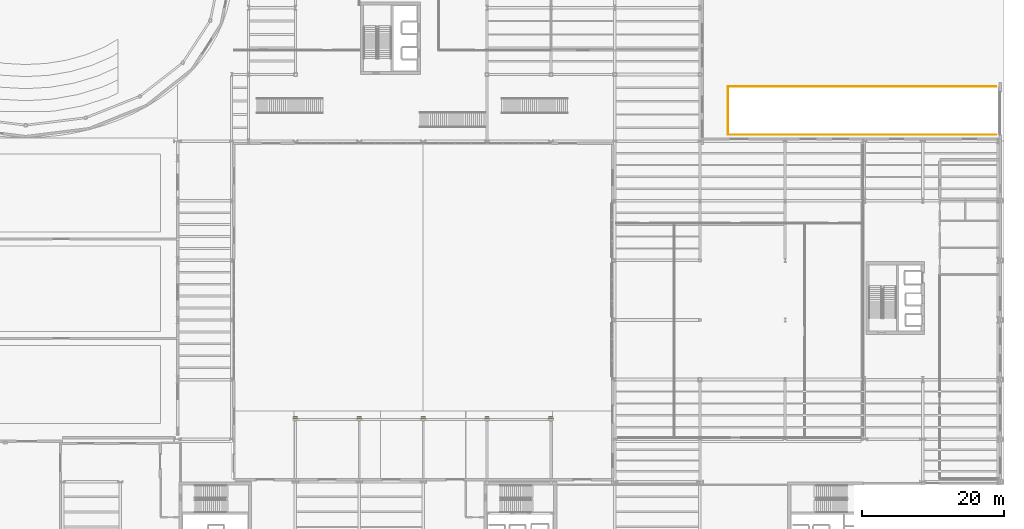
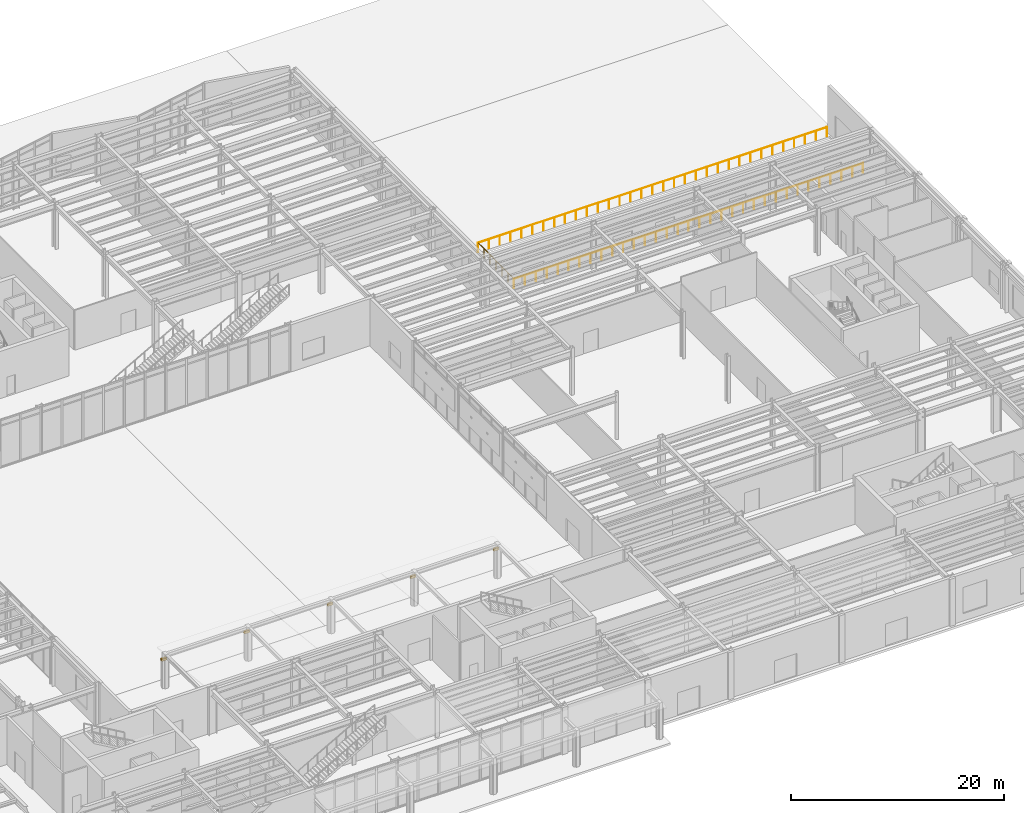
# One storey, part 94 of 94: 5 shading devices, 3 railings.
"""IFC4 building model written with IfcOpenShell, lengths in metres."""

from ifc_helpers import new_model, si_unit, direction, frame, origin, origin_2d, place, context, subcontext, project, spatial, rectangle, circle, extrude, material, layer, layer_set, type_object, element, save


model = new_model("IFC4")

# Units and contexts
model_context = context("Model", 3, precision=1e-05, world=origin(), true_north=direction((0.0, 1.0)))
body_context = subcontext(model_context, "Body", "Model", "MODEL_VIEW")
ifc_project = project(units=[si_unit("LENGTHUNIT", "METRE"), si_unit("AREAUNIT", "SQUARE_METRE"), si_unit("VOLUMEUNIT", "CUBIC_METRE"), si_unit("PLANEANGLEUNIT", "RADIAN"), si_unit("MASSUNIT", "GRAM", prefix="KILO")], contexts=[model_context])

# Site, building, storey
site_placement = place(None, origin())
site = spatial("IfcSite", under=ifc_project, at=site_placement, CompositionType="ELEMENT")
building_placement = place(site_placement, origin())
building = spatial("IfcBuilding", under=site, at=building_placement, Name="Sollismere Congress Hotel", CompositionType="ELEMENT")
storey_placement = place(building_placement, origin())
storey = spatial("IfcBuildingStorey", under=building, at=storey_placement, Name="L00", CompositionType="ELEMENT", Elevation=0.0)

# Railings
ifc_material_1 = material(Name="Laminated Safety Glass & Bronze Cap Rail", Category="glass")
railing_type = type_object("IfcRailingType", Name="RL-GD112", PredefinedType="GUARDRAIL", material=ifc_material_1)
railing_1_placement = place(storey_placement, frame((127.949951171875, 67.699951171875, 0.0)))
element("IfcRailing", 1, at=railing_1_placement, inside=storey, type_object=railing_type, Name="RLG-GD-L00-032", PredefinedType="GUARDRAIL", context=body_context, shape_type="SweptSolid", body=[
    extrude(circle(Radius=0.02392578125, at=origin_2d()), frame((0.0, 0.0, 1.09619140625), z_axis=(1.0, 0.0, 0.0), x_axis=(0.0, 1.0, 0.0)), (0.0, 0.0, 1.0), 37.800048828125),
    extrude(circle(Radius=0.02099609375, at=origin_2d()), origin(), (0.0, 0.0, 1.0), 1.072021484375),
    extrude(circle(Radius=0.02099609375, at=origin_2d()), frame((1.18115234375, 0.0, 0.0)), (0.0, 0.0, 1.0), 1.072021484375),
    extrude(circle(Radius=0.02099609375, at=origin_2d()), frame((2.362548828125, 0.0, 0.0)), (0.0, 0.0, 1.0), 1.072021484375),
    extrude(circle(Radius=0.02099609375, at=origin_2d()), frame((3.543701171875, 0.0, 0.0)), (0.0, 0.0, 1.0), 1.072021484375),
    extrude(circle(Radius=0.02099609375, at=origin_2d()), frame((4.72509765625, 0.0, 0.0)), (0.0, 0.0, 1.0), 1.072021484375),
    extrude(circle(Radius=0.02099609375, at=origin_2d()), frame((5.90625, 0.0, 0.0)), (0.0, 0.0, 1.0), 1.072021484375),
    extrude(circle(Radius=0.02099609375, at=origin_2d()), frame((7.08740234375, 0.0, 0.0)), (0.0, 0.0, 1.0), 1.072021484375),
    extrude(circle(Radius=0.02099609375, at=origin_2d()), frame((8.268798828125, 0.0, 0.0)), (0.0, 0.0, 1.0), 1.072021484375),
    extrude(circle(Radius=0.02099609375, at=origin_2d()), frame((9.449951171875, 0.0, 0.0)), (0.0, 0.0, 1.0), 1.072021484375),
    extrude(circle(Radius=0.02099609375, at=origin_2d()), frame((10.63134765625, 0.0, 0.0)), (0.0, 0.0, 1.0), 1.072021484375),
    extrude(circle(Radius=0.02099609375, at=origin_2d()), frame((11.8125, 0.0, 0.0)), (0.0, 0.0, 1.0), 1.072021484375),
    extrude(circle(Radius=0.02099609375, at=origin_2d()), frame((12.99365234375, 0.0, 0.0)), (0.0, 0.0, 1.0), 1.072021484375),
    extrude(circle(Radius=0.02099609375, at=origin_2d()), frame((14.175048828125, 0.0, 0.0)), (0.0, 0.0, 1.0), 1.072021484375),
    extrude(circle(Radius=0.02099609375, at=origin_2d()), frame((15.356201171875, 0.0, 0.0)), (0.0, 0.0, 1.0), 1.072021484375),
    extrude(circle(Radius=0.02099609375, at=origin_2d()), frame((16.53759765625, 0.0, 0.0)), (0.0, 0.0, 1.0), 1.072021484375),
    extrude(circle(Radius=0.02099609375, at=origin_2d()), frame((17.71875, 0.0, 0.0)), (0.0, 0.0, 1.0), 1.072021484375),
    extrude(circle(Radius=0.02099609375, at=origin_2d()), frame((18.89990234375, 0.0, 0.0)), (0.0, 0.0, 1.0), 1.072021484375),
    extrude(circle(Radius=0.02099609375, at=origin_2d()), frame((20.081298828125, 0.0, 0.0)), (0.0, 0.0, 1.0), 1.072021484375),
    extrude(circle(Radius=0.02099609375, at=origin_2d()), frame((21.262451171875, 0.0, 0.0)), (0.0, 0.0, 1.0), 1.072021484375),
    extrude(circle(Radius=0.02099609375, at=origin_2d()), frame((22.44384765625, 0.0, 0.0)), (0.0, 0.0, 1.0), 1.072021484375),
    extrude(circle(Radius=0.02099609375, at=origin_2d()), frame((23.625, 0.0, 0.0)), (0.0, 0.0, 1.0), 1.072021484375),
    extrude(circle(Radius=0.02099609375, at=origin_2d()), frame((24.806396484375, 0.0, 0.0)), (0.0, 0.0, 1.0), 1.072021484375),
    extrude(circle(Radius=0.02099609375, at=origin_2d()), frame((25.987548828125, 0.0, 0.0)), (0.0, 0.0, 1.0), 1.072021484375),
    extrude(circle(Radius=0.02099609375, at=origin_2d()), frame((27.168701171875, 0.0, 0.0)), (0.0, 0.0, 1.0), 1.072021484375),
    extrude(circle(Radius=0.02099609375, at=origin_2d()), frame((28.35009765625, 0.0, 0.0)), (0.0, 0.0, 1.0), 1.072021484375),
    extrude(circle(Radius=0.02099609375, at=origin_2d()), frame((29.53125, 0.0, 0.0)), (0.0, 0.0, 1.0), 1.072021484375),
    extrude(circle(Radius=0.02099609375, at=origin_2d()), frame((30.712646484375, 0.0, 0.0)), (0.0, 0.0, 1.0), 1.072021484375),
    extrude(circle(Radius=0.02099609375, at=origin_2d()), frame((31.893798828125, 0.0, 0.0)), (0.0, 0.0, 1.0), 1.072021484375),
    extrude(circle(Radius=0.02099609375, at=origin_2d()), frame((33.074951171875, 0.0, 0.0)), (0.0, 0.0, 1.0), 1.072021484375),
    extrude(circle(Radius=0.02099609375, at=origin_2d()), frame((34.25634765625, 0.0, 0.0)), (0.0, 0.0, 1.0), 1.072021484375),
    extrude(circle(Radius=0.02099609375, at=origin_2d()), frame((35.4375, 0.0, 0.0)), (0.0, 0.0, 1.0), 1.072021484375),
    extrude(circle(Radius=0.02099609375, at=origin_2d()), frame((36.618896484375, 0.0, 0.0)), (0.0, 0.0, 1.0), 1.072021484375),
    extrude(circle(Radius=0.02099609375, at=origin_2d()), frame((37.800048828125, 0.0, 0.0)), (0.0, 0.0, 1.0), 1.072021484375),
])
railing_2_placement = place(storey_placement, frame((127.949951171875, 74.5, 0.0)))
element("IfcRailing", 2, at=railing_2_placement, inside=storey, type_object=railing_type, Name="RLG-GD-L00-033", PredefinedType="GUARDRAIL", context=body_context, shape_type="SweptSolid", body=[
    extrude(circle(Radius=0.02392578125, at=origin_2d()), frame((0.0, 0.0, 1.09619140625), z_axis=(1.0, 0.0, 0.0), x_axis=(0.0, 1.0, 0.0)), (0.0, 0.0, 1.0), 37.800048828125),
    extrude(circle(Radius=0.02099609375, at=origin_2d()), origin(), (0.0, 0.0, 1.0), 1.072021484375),
    extrude(circle(Radius=0.02099609375, at=origin_2d()), frame((1.18115234375, 0.0, 0.0)), (0.0, 0.0, 1.0), 1.072021484375),
    extrude(circle(Radius=0.02099609375, at=origin_2d()), frame((2.362548828125, 0.0, 0.0)), (0.0, 0.0, 1.0), 1.072021484375),
    extrude(circle(Radius=0.02099609375, at=origin_2d()), frame((3.543701171875, 0.0, 0.0)), (0.0, 0.0, 1.0), 1.072021484375),
    extrude(circle(Radius=0.02099609375, at=origin_2d()), frame((4.72509765625, 0.0, 0.0)), (0.0, 0.0, 1.0), 1.072021484375),
    extrude(circle(Radius=0.02099609375, at=origin_2d()), frame((5.90625, 0.0, 0.0)), (0.0, 0.0, 1.0), 1.072021484375),
    extrude(circle(Radius=0.02099609375, at=origin_2d()), frame((7.08740234375, 0.0, 0.0)), (0.0, 0.0, 1.0), 1.072021484375),
    extrude(circle(Radius=0.02099609375, at=origin_2d()), frame((8.268798828125, 0.0, 0.0)), (0.0, 0.0, 1.0), 1.072021484375),
    extrude(circle(Radius=0.02099609375, at=origin_2d()), frame((9.449951171875, 0.0, 0.0)), (0.0, 0.0, 1.0), 1.072021484375),
    extrude(circle(Radius=0.02099609375, at=origin_2d()), frame((10.63134765625, 0.0, 0.0)), (0.0, 0.0, 1.0), 1.072021484375),
    extrude(circle(Radius=0.02099609375, at=origin_2d()), frame((11.8125, 0.0, 0.0)), (0.0, 0.0, 1.0), 1.072021484375),
    extrude(circle(Radius=0.02099609375, at=origin_2d()), frame((12.99365234375, 0.0, 0.0)), (0.0, 0.0, 1.0), 1.072021484375),
    extrude(circle(Radius=0.02099609375, at=origin_2d()), frame((14.175048828125, 0.0, 0.0)), (0.0, 0.0, 1.0), 1.072021484375),
    extrude(circle(Radius=0.02099609375, at=origin_2d()), frame((15.356201171875, 0.0, 0.0)), (0.0, 0.0, 1.0), 1.072021484375),
    extrude(circle(Radius=0.02099609375, at=origin_2d()), frame((16.53759765625, 0.0, 0.0)), (0.0, 0.0, 1.0), 1.072021484375),
    extrude(circle(Radius=0.02099609375, at=origin_2d()), frame((17.71875, 0.0, 0.0)), (0.0, 0.0, 1.0), 1.072021484375),
    extrude(circle(Radius=0.02099609375, at=origin_2d()), frame((18.89990234375, 0.0, 0.0)), (0.0, 0.0, 1.0), 1.072021484375),
    extrude(circle(Radius=0.02099609375, at=origin_2d()), frame((20.081298828125, 0.0, 0.0)), (0.0, 0.0, 1.0), 1.072021484375),
    extrude(circle(Radius=0.02099609375, at=origin_2d()), frame((21.262451171875, 0.0, 0.0)), (0.0, 0.0, 1.0), 1.072021484375),
    extrude(circle(Radius=0.02099609375, at=origin_2d()), frame((22.44384765625, 0.0, 0.0)), (0.0, 0.0, 1.0), 1.072021484375),
    extrude(circle(Radius=0.02099609375, at=origin_2d()), frame((23.625, 0.0, 0.0)), (0.0, 0.0, 1.0), 1.072021484375),
    extrude(circle(Radius=0.02099609375, at=origin_2d()), frame((24.806396484375, 0.0, 0.0)), (0.0, 0.0, 1.0), 1.072021484375),
    extrude(circle(Radius=0.02099609375, at=origin_2d()), frame((25.987548828125, 0.0, 0.0)), (0.0, 0.0, 1.0), 1.072021484375),
    extrude(circle(Radius=0.02099609375, at=origin_2d()), frame((27.168701171875, 0.0, 0.0)), (0.0, 0.0, 1.0), 1.072021484375),
    extrude(circle(Radius=0.02099609375, at=origin_2d()), frame((28.35009765625, 0.0, 0.0)), (0.0, 0.0, 1.0), 1.072021484375),
    extrude(circle(Radius=0.02099609375, at=origin_2d()), frame((29.53125, 0.0, 0.0)), (0.0, 0.0, 1.0), 1.072021484375),
    extrude(circle(Radius=0.02099609375, at=origin_2d()), frame((30.712646484375, 0.0, 0.0)), (0.0, 0.0, 1.0), 1.072021484375),
    extrude(circle(Radius=0.02099609375, at=origin_2d()), frame((31.893798828125, 0.0, 0.0)), (0.0, 0.0, 1.0), 1.072021484375),
    extrude(circle(Radius=0.02099609375, at=origin_2d()), frame((33.074951171875, 0.0, 0.0)), (0.0, 0.0, 1.0), 1.072021484375),
    extrude(circle(Radius=0.02099609375, at=origin_2d()), frame((34.25634765625, 0.0, 0.0)), (0.0, 0.0, 1.0), 1.072021484375),
    extrude(circle(Radius=0.02099609375, at=origin_2d()), frame((35.4375, 0.0, 0.0)), (0.0, 0.0, 1.0), 1.072021484375),
    extrude(circle(Radius=0.02099609375, at=origin_2d()), frame((36.618896484375, 0.0, 0.0)), (0.0, 0.0, 1.0), 1.072021484375),
    extrude(circle(Radius=0.02099609375, at=origin_2d()), frame((37.800048828125, 0.0, 0.0)), (0.0, 0.0, 1.0), 1.072021484375),
])
railing_3_placement = place(storey_placement, frame((127.949951171875, 67.699951171875, 0.0)))
element("IfcRailing", 3, at=railing_3_placement, inside=storey, type_object=railing_type, Name="RLG-GD-L00-034", PredefinedType="GUARDRAIL", context=body_context, shape_type="SweptSolid", body=[
    extrude(circle(Radius=0.02392578125, at=origin_2d()), frame((0.0, 0.0, 1.09619140625), z_axis=(0.0, 1.0, 0.0), x_axis=(-1.0, 0.0, 0.0)), (0.0, 0.0, 1.0), 6.800048828125),
    extrude(circle(Radius=0.02099609375, at=origin_2d()), origin(), (0.0, 0.0, 1.0), 1.072021484375),
    extrude(circle(Radius=0.02099609375, at=origin_2d()), frame((0.0, 1.13330078125, 0.0)), (0.0, 0.0, 1.0), 1.072021484375),
    extrude(circle(Radius=0.02099609375, at=origin_2d()), frame((0.0, 2.2666015625, 0.0)), (0.0, 0.0, 1.0), 1.072021484375),
    extrude(circle(Radius=0.02099609375, at=origin_2d()), frame((0.0, 3.39990234375, 0.0)), (0.0, 0.0, 1.0), 1.072021484375),
    extrude(circle(Radius=0.02099609375, at=origin_2d()), frame((0.0, 4.533447265625, 0.0)), (0.0, 0.0, 1.0), 1.072021484375),
    extrude(circle(Radius=0.02099609375, at=origin_2d()), frame((0.0, 5.666748046875, 0.0)), (0.0, 0.0, 1.0), 1.072021484375),
    extrude(circle(Radius=0.02099609375, at=origin_2d()), frame((0.0, 6.800048828125, 0.0)), (0.0, 0.0, 1.0), 1.072021484375),
])

# Shading devices
ifc_material_2 = material(Name="Anodized Aluminum Solar Fin", Category="aluminium")
ifc_layer = layer(ifc_material_2, 0.219970703125, Name="Anodized Aluminum Solar Fin")
ifc_layer_set = layer_set([ifc_layer], Name="Anodized Aluminum Solar Fin")
shading_device_type = type_object("IfcShadingDeviceType", Name="SHD-LV22", PredefinedType="AWNING", material=ifc_layer_set)
for number, where, z_axis, x_axis, name in (
    (4, (67.0, 27.8798828125, 2.91015625), (0.0, 0.0, 1.0), (1.0, 0.0, 0.0), "SHD-LV-01"),
    (5, (76.0, 27.8798828125, 2.91015625), (0.0, 0.0, 1.0), (1.0, 0.0, 0.0), "SHD-LV-02"),
    (6, (85.0, 27.8798828125, 2.91015625), (0.0, 0.0, 1.0), (1.0, 0.0, 0.0), "SHD-LV-03"),
    (7, (94.0, 27.8798828125, 2.91015625), (0.0, 0.0, 1.0), (1.0, 0.0, 0.0), "SHD-LV-04"),
    (8, (103.0, 27.8798828125, 2.91015625), (0.0, 0.0, 1.0), (1.0, 0.0, 0.0), "SHD-LV-05"),
):
    element("IfcShadingDevice", number, at=place(storey_placement, frame(where, z_axis=z_axis, x_axis=x_axis)), inside=storey, type_object=shading_device_type, Name=name, PredefinedType="AWNING", context=body_context, shape_type="SweptSolid", body=[
        extrude(rectangle(XDim=0.550048828125, YDim=0.219970703125, at=origin_2d()), origin(), (0.0, 0.0, 1.0), 0.280029296875),
    ])

save(model, "model.ifc")
